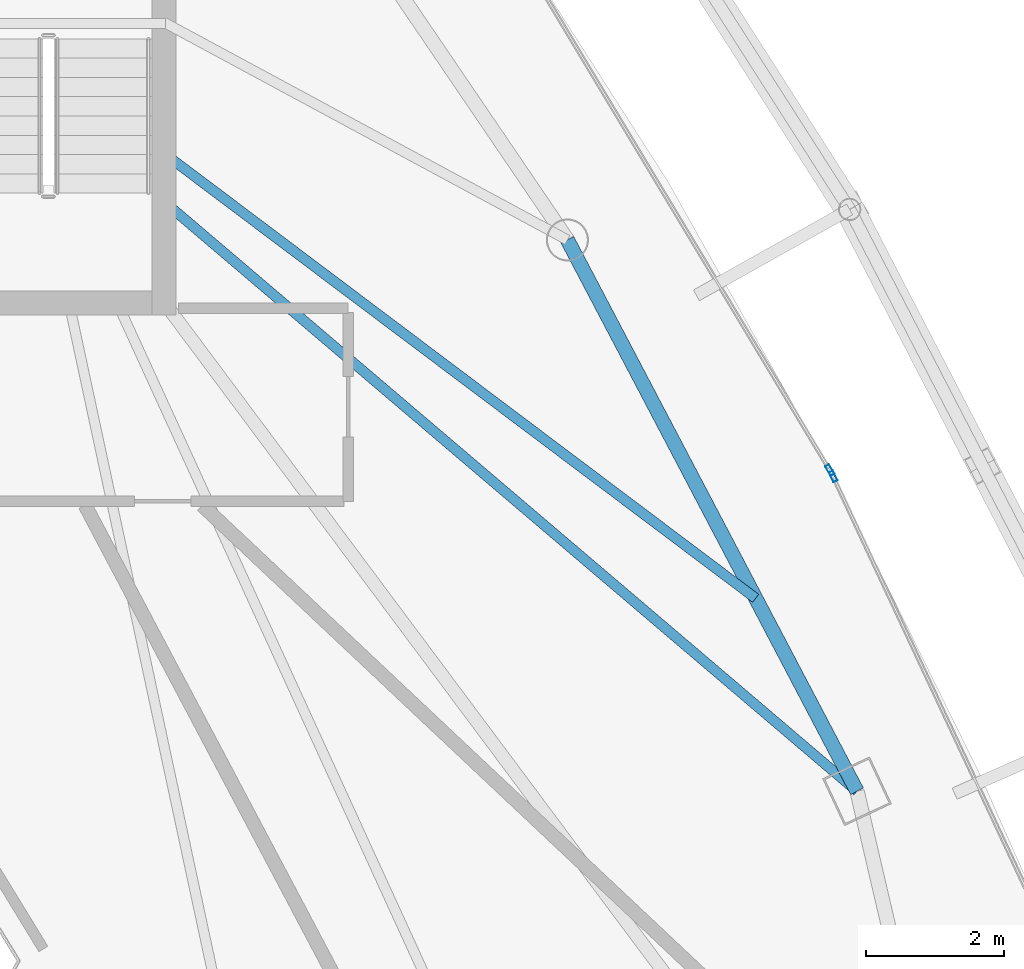
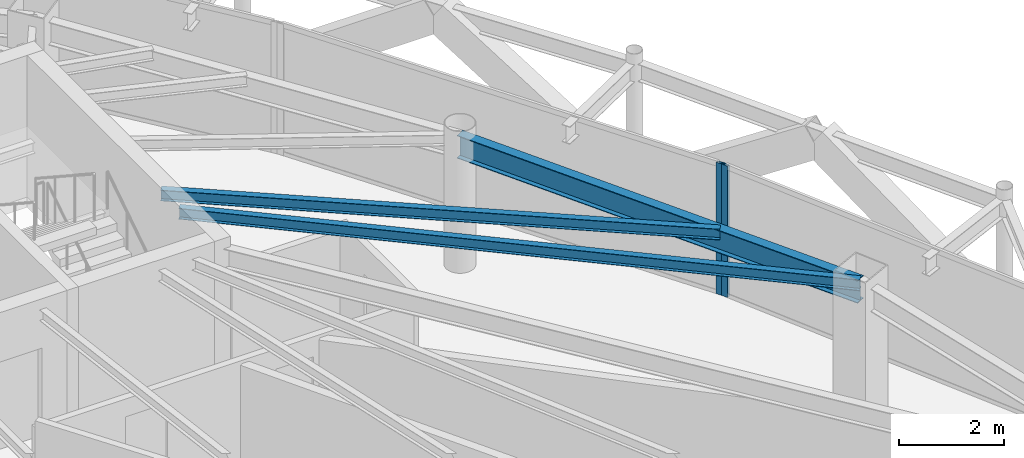
# One storey, part 17 of 30: 3 beams, 2 members, 2 elements without a shape of their own.
"""IFC4 building model written with IfcOpenShell, lengths in metres."""

import ifcopenshell
import ifcopenshell.guid

model = None  # the IFC model being written
_history = None  # IfcOwnerHistory: only IFC2X3 demands one
_inside = {}  # id of a spatial element -> (the spatial element, [elements in it])
_under = {}  # id of a project, library or spatial element -> (it, [spatial elements below it])
_declared = {}  # id of a project -> (the project, [libraries it declares])
_typed = {}  # id of a type object -> (the type object, [elements of that type])
_made_of = {}  # id of a material, layer set ... -> (it, [elements and type objects made of it])


def new_model(schema):
    """Start an empty IFC model of exactly this schema.

    Asked for "IFC4X3", IfcOpenShell would pick the latest addendum, in which some entities
    have other attributes; the version numbers below select the first issue.
    IFC2X3 requires an IfcOwnerHistory on every rooted entity: one is made here for all.
    """
    global model, _history
    if schema == "IFC4X3":
        model = ifcopenshell.file(schema_version=(4, 3, 0, 0))
    else:
        model = ifcopenshell.file(schema=schema)
    _inside.clear()
    _under.clear()
    _declared.clear()
    _typed.clear()
    _made_of.clear()
    _history = None
    if model.schema == "IFC2X3":
        org = make("IfcOrganization", Name="unknown")
        user = make(
            "IfcPersonAndOrganization",
            ThePerson=make("IfcPerson", FamilyName="unknown"),
            TheOrganization=org,
        )
        app = make(
            "IfcApplication",
            ApplicationDeveloper=org,
            Version="unknown",
            ApplicationFullName="unknown",
            ApplicationIdentifier="unknown",
        )
        _history = make(
            "IfcOwnerHistory",
            OwningUser=user,
            OwningApplication=app,
            ChangeAction="ADDED",
            CreationDate=0,
        )
    return model


def make(cls, **values):
    """One entity of the class cls with the attributes given. An attribute that is None is left unset."""
    return model.create_entity(
        cls, **{name: value for name, value in values.items() if value is not None}
    )


def rooted(cls, **values):
    """An entity with a GlobalId (a new one), such as an element, a storey or a relation."""
    return make(cls, GlobalId=ifcopenshell.guid.new(), OwnerHistory=_history, **values)


def si_unit(unit_type, name, prefix=None):
    """IfcSIUnit, for example si_unit("LENGTHUNIT", "METRE", prefix="MILLI")."""
    return make("IfcSIUnit", UnitType=unit_type, Prefix=prefix, Name=name)


def assignment(units):
    """IfcUnitAssignment: the units of a project."""
    return None if units is None else make("IfcUnitAssignment", Units=units)


def point(xyz):
    """IfcCartesianPoint."""
    return None if xyz is None else make("IfcCartesianPoint", Coordinates=xyz)


def direction(xyz):
    """IfcDirection."""
    return None if xyz is None else make("IfcDirection", DirectionRatios=xyz)


def frame(location, z_axis=None, x_axis=None):
    """IfcAxis2Placement3D, a coordinate frame: its origin and axes. An axis left out is left unset."""
    return make(
        "IfcAxis2Placement3D",
        Location=point(location),
        Axis=direction(z_axis),
        RefDirection=direction(x_axis),
    )


def frame_2d(location, x_axis=None):
    """IfcAxis2Placement2D, a coordinate frame in the plane: its origin and x axis."""
    return make(
        "IfcAxis2Placement2D", Location=point(location), RefDirection=direction(x_axis)
    )


def origin():
    """The frame at (0, 0, 0) with its axes left unset."""
    return frame((0.0, 0.0, 0.0))


def origin_2d():
    """The frame at (0, 0) in the plane with its x axis left unset."""
    return frame_2d((0.0, 0.0))


def place(relative_to, where):
    """IfcLocalPlacement: puts the frame where relative to a parent placement (None: the world)."""
    return make(
        "IfcLocalPlacement", PlacementRelTo=relative_to, RelativePlacement=where
    )


def context(
    kind, dimensions, precision=None, world=None, true_north=None, identifier=None
):
    """IfcGeometricRepresentationContext, for example the 3D "Model" context."""
    return make(
        "IfcGeometricRepresentationContext",
        ContextIdentifier=identifier,
        ContextType=kind,
        CoordinateSpaceDimension=dimensions,
        Precision=precision,
        WorldCoordinateSystem=world,
        TrueNorth=true_north,
    )


def subcontext(parent, identifier, kind, view, scale=None):
    """IfcGeometricRepresentationSubContext, for example "Body" below "Model"."""
    return make(
        "IfcGeometricRepresentationSubContext",
        ContextIdentifier=identifier,
        ContextType=kind,
        ParentContext=parent,
        TargetScale=scale,
        TargetView=view,
    )


def project(units=None, contexts=None):
    """IfcProject with its units and contexts."""
    return rooted(
        "IfcProject",
        Name="project",
        RepresentationContexts=contexts,
        UnitsInContext=assignment(units),
    )


def spatial(cls, under=None, at=None, **own):
    """A site, building, storey or space (cls), placed at a placement, below another one or the project."""
    s = rooted(cls, ObjectPlacement=at, **own)
    if under is not None:
        _under.setdefault(under.id(), (under, []))[1].append(s)
    return s


def profile(cls, at=None, kind="AREA", **sizes):
    """A parametric profile (cls). Its sizes go by their IFC names, for example OverallWidth=200.0."""
    return make(cls, ProfileType=kind, Position=at, **sizes)


def hollow_rectangle(**sizes):
    """IfcRectangleHollowProfileDef."""
    return profile("IfcRectangleHollowProfileDef", **sizes)


def i_section(**sizes):
    """IfcIShapeProfileDef."""
    return profile("IfcIShapeProfileDef", **sizes)


def extrude(swept, where, along, depth):
    """IfcExtrudedAreaSolid: the profile swept, set in the frame where, extruded along a direction by depth."""
    return make(
        "IfcExtrudedAreaSolid",
        SweptArea=swept,
        Position=where,
        ExtrudedDirection=direction(along),
        Depth=depth,
    )


def shape(context_of_items, identifier, shape_type, items):
    """IfcShapeRepresentation: the items that make up one representation, for example the "Body"."""
    return make(
        "IfcShapeRepresentation",
        ContextOfItems=context_of_items,
        RepresentationIdentifier=identifier,
        RepresentationType=shape_type,
        Items=items,
    )


def material(Name=None, Category=None):
    """IfcMaterial."""
    return make("IfcMaterial", Name=Name, Category=Category)


def layer(
    of_material, thickness, ventilated=None, Name=None, Category=None, Priority=None
):
    """IfcMaterialLayer: one layer of a wall or slab, of a material (None: an air gap)."""
    return make(
        "IfcMaterialLayer",
        Material=of_material,
        LayerThickness=thickness,
        IsVentilated=ventilated,
        Name=Name,
        Category=Category,
        Priority=Priority,
    )


def layer_set(layers, Name=None):
    """IfcMaterialLayerSet."""
    return make("IfcMaterialLayerSet", MaterialLayers=layers, LayerSetName=Name)


def material_profile(
    of_material, cross_section, Name=None, Category=None, Priority=None
):
    """IfcMaterialProfile: a cross section and its material."""
    return make(
        "IfcMaterialProfile",
        Name=Name,
        Material=of_material,
        Profile=cross_section,
        Priority=Priority,
        Category=Category,
    )


def profile_set(profiles, Name=None, composite=None):
    """IfcMaterialProfileSet."""
    return make(
        "IfcMaterialProfileSet",
        Name=Name,
        MaterialProfiles=profiles,
        CompositeProfile=composite,
    )


def made_of(thing, what):
    """Note that an element or type object is made of a material, layer set ...; save() writes the relation."""
    if what is not None:
        _made_of.setdefault(what.id(), (what, []))[1].append(thing)
    return thing


def type_object(cls, material=None, **own):
    """A type object (cls), such as IfcWallType, which elements share."""
    return made_of(rooted(cls, **own), material)


def element(
    cls,
    number,
    at=None,
    inside=None,
    cuts=None,
    type_object=None,
    material=None,
    context=None,
    identifier="Body",
    shape_type=None,
    held_by="IfcProductDefinitionShape",
    body=None,
    shapes=None,
    **own,
):
    """One element of the class cls, such as IfcWall. Its Tag is "e" and its number.

    at: its placement. inside: the storey or other place that contains it. cuts: it is an
    opening in that element (IfcRelVoidsElement). A single representation is given by context,
    identifier, shape_type and body (its items); several are given by shapes. held_by: the class
    of the entity that holds the representations. save() writes the other relations.
    """
    e = rooted(cls, Tag="e%d" % number, ObjectPlacement=at, **own)
    if body is not None:
        shapes = [shape(context, identifier, shape_type, body)]
    if shapes is not None:
        e.Representation = make(held_by, Representations=shapes)
    if inside is not None:
        _inside.setdefault(inside.id(), (inside, []))[1].append(e)
    if cuts is not None:
        rooted(
            "IfcRelVoidsElement", RelatingBuildingElement=cuts, RelatedOpeningElement=e
        )
    if type_object is not None:
        _typed.setdefault(type_object.id(), (type_object, []))[1].append(e)
    return made_of(e, material)


def aggregate(whole, parts):
    """IfcRelAggregates: a whole, such as a stair, and the parts it consists of."""
    return rooted("IfcRelAggregates", RelatingObject=whole, RelatedObjects=parts)


def save(model, path):
    """Write the relations noted so far, then the file.

    IfcRelAggregates (storeys below a building ...), IfcRelContainedInSpatialStructure (elements
    in a storey), IfcRelDefinesByType, IfcRelAssociatesMaterial and IfcRelDeclares: one each for
    every whole, place, type object, material and project.
    """
    for whole, parts in _under.values():
        aggregate(whole, parts)
    for where, things in _inside.values():
        rooted(
            "IfcRelContainedInSpatialStructure",
            RelatedElements=things,
            RelatingStructure=where,
        )
    for kind, things in _typed.values():
        rooted("IfcRelDefinesByType", RelatedObjects=things, RelatingType=kind)
    for what, things in _made_of.values():
        rooted("IfcRelAssociatesMaterial", RelatedObjects=things, RelatingMaterial=what)
    for by, libraries in _declared.values():
        rooted("IfcRelDeclares", RelatingContext=by, RelatedDefinitions=libraries)
    model.write(path)


model = new_model("IFC4")

# Units and contexts
model_context = context("Model", 3, precision=1e-05, world=origin(), true_north=direction((0.0, 1.0)))
body_context = subcontext(model_context, "Body", "Model", "MODEL_VIEW")
ifc_project = project(units=[si_unit("LENGTHUNIT", "METRE"), si_unit("AREAUNIT", "SQUARE_METRE"), si_unit("VOLUMEUNIT", "CUBIC_METRE"), si_unit("PLANEANGLEUNIT", "RADIAN"), si_unit("MASSUNIT", "GRAM", prefix="KILO")], contexts=[model_context])

# Site, building, storey
site_placement = place(None, origin())
site = spatial("IfcSite", under=ifc_project, at=site_placement, CompositionType="ELEMENT")
building_placement = place(site_placement, origin())
building = spatial("IfcBuilding", under=site, at=building_placement, Name="Orvanel Arch Residences", CompositionType="ELEMENT")
storey_placement = place(building_placement, frame((0.0, 0.0, 240.35009765625)))
storey = spatial("IfcBuildingStorey", under=building, at=storey_placement, Name="L68", CompositionType="ELEMENT", Elevation=240.35009765625)

# Beams
ifc_material_1 = material(Name="Structural steel AS/NZS 3679.1 Grade 300 (300 MPa)", Category="steel")
ifc_material_profile_1 = material_profile(ifc_material_1, i_section(OverallWidth=0.14599609375, OverallDepth=0.251953125, WebThickness=0.006103515625, FlangeThickness=0.008544921875, at=origin_2d()), Name="250UB31.4")
ifc_profile_set_1 = profile_set([ifc_material_profile_1], Name="Structural steel AS/NZS 3679.1 Grade 300 (300 MPa)")
beam_type_1 = type_object("IfcBeamType", Name="BJ-250UB", PredefinedType="JOIST", material=ifc_profile_set_1)
beam_1_placement = place(storey_placement, frame((39.574951171875, 28.199951171875, 2.933837890625), z_axis=(0.761622669031, -0.64802076357, 0.0), x_axis=(0.64802076357, 0.761622669031, 0.0)))
element("IfcBeam", 1, at=beam_1_placement, inside=storey, type_object=beam_type_1, Name="L68 E Wing Floor Joist", PredefinedType="JOIST", context=body_context, shape_type="SweptSolid", body=[
    extrude(i_section(OverallWidth=0.14599609375, OverallDepth=0.251953125, WebThickness=0.006103515625, FlangeThickness=0.008544921875, at=origin_2d()), origin(), (0.0, 0.0, 1.0), 13.2060546875),
])
beam_2_placement = place(storey_placement, frame((39.574951171875, 28.89990234375, 2.933837890625), z_axis=(0.799211300837, -0.60105016148, 0.0), x_axis=(0.60105016148, 0.799211300837, 0.0)))
element("IfcBeam", 2, at=beam_2_placement, inside=storey, type_object=beam_type_1, Name="L68 CTE Wing Floor Joist", PredefinedType="JOIST", context=body_context, shape_type="SweptSolid", body=[
    extrude(i_section(OverallWidth=0.14599609375, OverallDepth=0.251953125, WebThickness=0.006103515625, FlangeThickness=0.008544921875, at=origin_2d()), origin(), (0.0, 0.0, 1.0), 10.74462890625),
])

# Curtain wall, member
ifc_material_2 = material(Name="Bronze-anodised aluminium AA6063-T6", Category="aluminium")
ifc_layer = layer(ifc_material_2, 0.175048828125)
ifc_layer_set = layer_set([ifc_layer], Name="Bronze-anodised aluminium AA6063-T6")
curtain_wall_type = type_object("IfcCurtainWallType", Name="CW4-HI-SYS", PredefinedType="NOTDEFINED", material=ifc_layer_set)
curtain_wall_1_placement = place(storey_placement, origin())
curtain_wall_1 = element("IfcCurtainWall", 3, at=curtain_wall_1_placement, inside=storey, type_object=curtain_wall_type, Name="L68 CW4-HI-SYS Unitised Curtain Wall", PredefinedType="NOTDEFINED")
ifc_material_profile_2 = material_profile(ifc_material_2, hollow_rectangle(XDim=0.06494140625, YDim=0.159912109375, WallThickness=0.00390625, at=origin_2d()), Name="ALU160x65x4")
ifc_profile_set_2 = profile_set([ifc_material_profile_2], Name="Bronze-anodised aluminium AA6063-T6")
member_type = type_object("IfcMemberType", Name="MUL-160x65", PredefinedType="MULLION", material=ifc_profile_set_2)
member_1_placement = place(storey_placement, frame((49.286865234375, 24.21044921875, 0.0), z_axis=(0.0, 0.0, 1.0), x_axis=(-0.9059146694, -0.423460283576, 0.0)))
member_1 = element("IfcMember", 4, at=member_1_placement, type_object=member_type, Name="CW-S4 mullion 2", PredefinedType="MULLION", context=body_context, shape_type="SweptSolid", body=[
    extrude(hollow_rectangle(XDim=0.06494140625, YDim=0.159912109375, WallThickness=0.00390625, at=origin_2d()), origin(), (0.0, 0.0, 1.0), 3.059814453125),
])
aggregate(curtain_wall_1, [member_1])

curtain_wall_2_placement = place(storey_placement, origin())
curtain_wall_2 = element("IfcCurtainWall", 5, at=curtain_wall_2_placement, inside=storey, type_object=curtain_wall_type, Name="L68 CW4-HI-SYS Unitised Curtain Wall", PredefinedType="NOTDEFINED")
member_2_placement = place(storey_placement, frame((49.23828125, 24.302978515625, 0.0), z_axis=(0.0, 0.0, 1.0), x_axis=(-0.857511192375, -0.514465309766, 0.0)))
member_2 = element("IfcMember", 6, at=member_2_placement, type_object=member_type, Name="CW-S4 mullion 1", PredefinedType="MULLION", context=body_context, shape_type="SweptSolid", body=[
    extrude(hollow_rectangle(XDim=0.06494140625, YDim=0.159912109375, WallThickness=0.00390625, at=origin_2d()), origin(), (0.0, 0.0, 1.0), 3.059814453125),
])
aggregate(curtain_wall_2, [member_2])

# Beam
ifc_material_profile_3 = material_profile(ifc_material_1, i_section(OverallWidth=0.208984375, OverallDepth=0.532958984375, WebThickness=0.01025390625, FlangeThickness=0.015625, at=origin_2d()), Name="530UB92.4")
ifc_profile_set_3 = profile_set([ifc_material_profile_3], Name="Structural steel AS/NZS 3679.1 Grade 300 (300 MPa)")
beam_type_2 = type_object("IfcBeamType", Name="SP-530UB", PredefinedType="SPANDREL", material=ifc_profile_set_3)
beam_3_placement = place(storey_placement, frame((49.633056640625, 19.64208984375, 2.79296875), z_axis=(-0.465064762793, 0.885276660942, 0.0), x_axis=(-0.885276660942, -0.465064762793, 0.0)))
element("IfcBeam", 7, at=beam_3_placement, inside=storey, type_object=beam_type_2, Name="L68 Perimeter Spandrel Beam 07", PredefinedType="SPANDREL", context=body_context, shape_type="SweptSolid", body=[
    extrude(i_section(OverallWidth=0.208984375, OverallDepth=0.532958984375, WebThickness=0.01025390625, FlangeThickness=0.015625, at=origin_2d()), origin(), (0.0, 0.0, 1.0), 9.03564453125),
])

save(model, "model.ifc")
